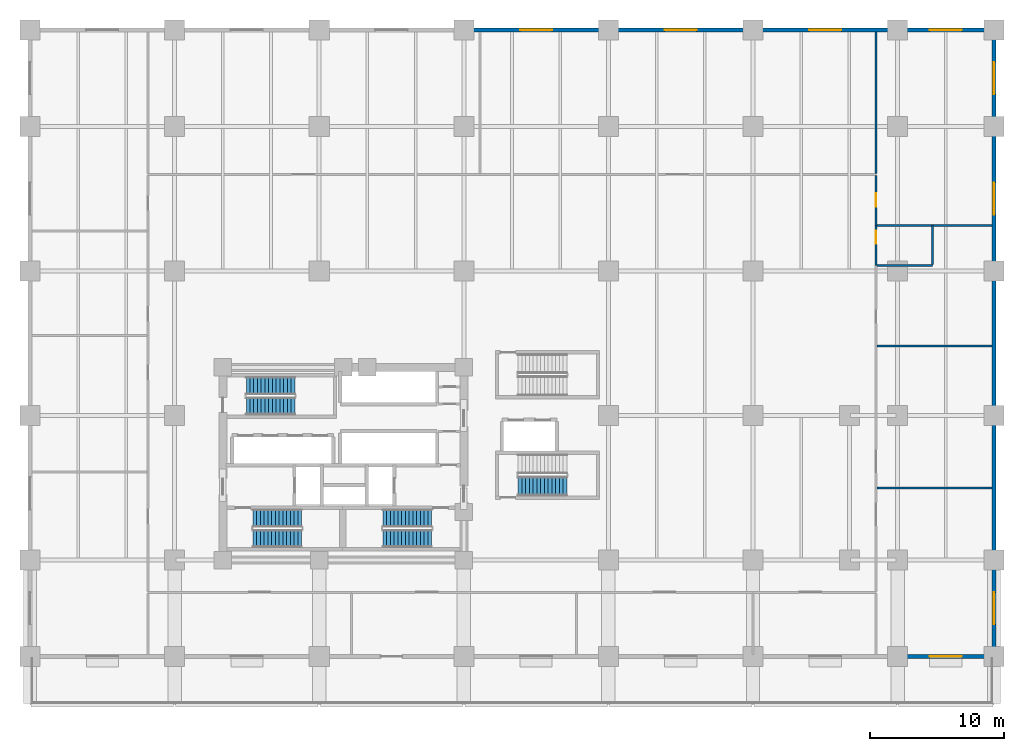
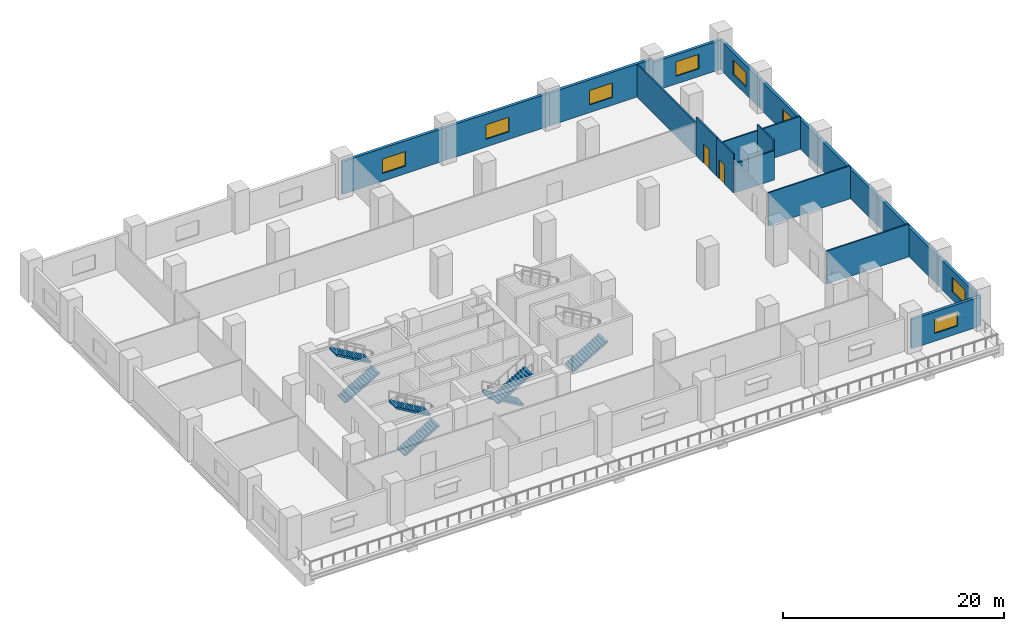
# One storey, part 6 of 11: 18 walls, 8 windows, 7 stair flights, 2 doors, 10 openings, 4 elements without a shape of their own.
"""IFC4 building model written with IfcOpenShell, lengths in metres."""

from ifc_helpers import new_model, si_unit, direction, frame, frame_2d, origin, place, context, subcontext, project, spatial, polyline, rectangle, outline, extrude, material, layer, layer_set, type_object, element, fill, aggregate, save


model = new_model("IFC4")

# Units and contexts
model_context = context("Model", 3, precision=1e-05, world=origin(), true_north=direction((0.0, 1.0)))
body_context = subcontext(model_context, "Body", "Model", "MODEL_VIEW")
ifc_project = project(units=[si_unit("LENGTHUNIT", "METRE"), si_unit("AREAUNIT", "SQUARE_METRE"), si_unit("VOLUMEUNIT", "CUBIC_METRE"), si_unit("PLANEANGLEUNIT", "RADIAN"), si_unit("MASSUNIT", "GRAM", prefix="KILO")], contexts=[model_context])

# Site, building, storey
site_placement = place(None, origin())
site = spatial("IfcSite", under=ifc_project, at=site_placement, CompositionType="ELEMENT")
building_placement = place(site_placement, origin())
building = spatial("IfcBuilding", under=site, at=building_placement, Name="Solnavia Interchange Tower", CompositionType="ELEMENT")
storey_placement = place(building_placement, frame((0.0, 0.0, 14.800048828125)))
storey = spatial("IfcBuildingStorey", under=building, at=storey_placement, Name="L03", CompositionType="ELEMENT", Elevation=14.800048828125)

# Wall, opening, window
ifc_material_1 = material(Name="Concrete C40/50", Category="concrete")
ifc_layer_1 = layer(ifc_material_1, 0.300048828125)
ifc_layer_set_1 = layer_set([ifc_layer_1], Name="Concrete C40/50")
wall_type_1 = type_object("IfcWallType", Name="Wall-ExtSpandrel-300", PredefinedType="STANDARD", material=ifc_layer_set_1)
wall_1_placement = place(storey_placement, frame((72.0, 3.60009765625, 0.0), z_axis=(0.0, 0.0, 1.0), x_axis=(-1.0, 0.0, 0.0)))
wall_1 = element("IfcWall", 1, at=wall_1_placement, inside=storey, type_object=wall_type_1, Name="EXW-L03-S07 South podium wall", PredefinedType="STANDARD", context=body_context, shape_type="SweptSolid", body=[
    extrude(rectangle(XDim=7.199951171875, YDim=0.300048828125, at=frame_2d((3.60009765625, 0.0))), origin(), (0.0, 0.0, 1.0), 3.22998046875),
])
opening_1_placement = place(wall_1_placement, frame((2.39990234375, 0.0, 0.85009765625)))
opening_1 = element("IfcOpeningElement", 2, at=opening_1_placement, cuts=wall_1, Name="Opening WIN-06", PredefinedType="OPENING", context=body_context, shape_type="SweptSolid", body=[
    extrude(rectangle(XDim=2.39990234375, YDim=1.60009765625, at=frame_2d((1.199951171875, 0.800048828125))), frame((0.0, 0.16015625, 0.0), z_axis=(0.0, -1.0, 0.0), x_axis=(1.0, 0.0, 0.0)), (0.0, 0.0, 1.0), 0.320068359375),
])
ifc_material_2 = material(Name="Thermal-Break Aluminium & Low-E Glass", Category="aluminium")
window_type = type_object("IfcWindowType", Name="Window-Podium-2400x1600", PartitioningType="SINGLE_PANEL", PredefinedType="WINDOW", material=ifc_material_2)
window_1_placement = place(opening_1_placement, origin())
window_1 = element("IfcWindow", 3, at=window_1_placement, inside=storey, type_object=window_type, Name="WIN-L03-S07 South podium window", OverallHeight=1.60009765625, OverallWidth=2.39990234375, PartitioningType="SINGLE_PANEL", PredefinedType="WINDOW", context=body_context, shape_type="SweptSolid", body=[
    extrude(rectangle(XDim=2.39990234375, YDim=1.60009765625, at=frame_2d((1.199951171875, 0.800048828125))), frame((0.0, 0.030029296875, 0.0), z_axis=(0.0, -1.0, 0.0), x_axis=(1.0, 0.0, 0.0)), (0.0, 0.0, 1.0), 0.06005859375),
])
fill(opening_1, window_1)

wall_2_placement = place(storey_placement, frame((72.0, 10.800048828125, 0.0), z_axis=(0.0, 0.0, 1.0), x_axis=(0.0, -1.0, 0.0)))
wall_2 = element("IfcWall", 4, at=wall_2_placement, inside=storey, type_object=wall_type_1, Name="EXW-L03-E01 East podium wall", PredefinedType="STANDARD", context=body_context, shape_type="SweptSolid", body=[
    extrude(rectangle(XDim=7.199951171875, YDim=0.300048828125, at=frame_2d((3.60009765625, 0.0))), origin(), (0.0, 0.0, 1.0), 3.22998046875),
])
opening_2_placement = place(wall_2_placement, frame((2.39990234375, 0.0, 0.85009765625)))
opening_2 = element("IfcOpeningElement", 5, at=opening_2_placement, cuts=wall_2, Name="Opening WIN-06", PredefinedType="OPENING", context=body_context, shape_type="SweptSolid", body=[
    extrude(rectangle(XDim=2.39990234375, YDim=1.60009765625, at=frame_2d((1.199951171875, 0.800048828125))), frame((0.0, 0.16015625, 0.0), z_axis=(0.0, -1.0, 0.0), x_axis=(1.0, 0.0, 0.0)), (0.0, 0.0, 1.0), 0.320068359375),
])
window_2_placement = place(opening_2_placement, origin())
window_2 = element("IfcWindow", 6, at=window_2_placement, inside=storey, type_object=window_type, Name="WIN-L03-E01 East podium window", OverallHeight=1.60009765625, OverallWidth=2.39990234375, PartitioningType="SINGLE_PANEL", PredefinedType="WINDOW", context=body_context, shape_type="SweptSolid", body=[
    extrude(rectangle(XDim=2.39990234375, YDim=1.60009765625, at=frame_2d((1.199951171875, 0.800048828125))), frame((0.0, 0.030029296875, 0.0), z_axis=(0.0, -1.0, 0.0), x_axis=(1.0, 0.0, 0.0)), (0.0, 0.0, 1.0), 0.06005859375),
])
fill(opening_2, window_2)

# Walls
wall_3_placement = place(storey_placement, frame((72.0, 21.60009765625, 0.0), z_axis=(0.0, 0.0, 1.0), x_axis=(0.0, -1.0, 0.0)))
element("IfcWall", 7, at=wall_3_placement, inside=storey, type_object=wall_type_1, Name="EXW-L03-E02 East podium wall", PredefinedType="STANDARD", context=body_context, shape_type="SweptSolid", body=[
    extrude(rectangle(XDim=10.800048828125, YDim=0.300048828125, at=frame_2d((5.39990234375, 0.0))), origin(), (0.0, 0.0, 1.0), 3.22998046875),
])
wall_4_placement = place(storey_placement, frame((72.0, 32.39990234375, 0.0), z_axis=(0.0, 0.0, 1.0), x_axis=(0.0, -1.0, 0.0)))
element("IfcWall", 8, at=wall_4_placement, inside=storey, type_object=wall_type_1, Name="EXW-L03-E03 East podium wall", PredefinedType="STANDARD", context=body_context, shape_type="SweptSolid", body=[
    extrude(rectangle(XDim=10.7998046875, YDim=0.300048828125, at=frame_2d((5.39990234375, 0.0))), origin(), (0.0, 0.0, 1.0), 3.22998046875),
])

# Wall, opening, window
wall_5_placement = place(storey_placement, frame((72.0, 43.199951171875, 0.0), z_axis=(0.0, 0.0, 1.0), x_axis=(0.0, -1.0, 0.0)))
wall_5 = element("IfcWall", 9, at=wall_5_placement, inside=storey, type_object=wall_type_1, Name="EXW-L03-E04 East podium wall", PredefinedType="STANDARD", context=body_context, shape_type="SweptSolid", body=[
    extrude(rectangle(XDim=10.800048828125, YDim=0.300048828125, at=frame_2d((5.39990234375, 0.0))), origin(), (0.0, 0.0, 1.0), 3.22998046875),
])
opening_3_placement = place(wall_5_placement, frame((4.199951171875, 0.0, 0.85009765625)))
opening_3 = element("IfcOpeningElement", 10, at=opening_3_placement, cuts=wall_5, Name="Opening WIN-06", PredefinedType="OPENING", context=body_context, shape_type="SweptSolid", body=[
    extrude(rectangle(XDim=2.39990234375, YDim=1.60009765625, at=frame_2d((1.199951171875, 0.800048828125))), frame((0.0, 0.16015625, 0.0), z_axis=(0.0, -1.0, 0.0), x_axis=(1.0, 0.0, 0.0)), (0.0, 0.0, 1.0), 0.320068359375),
])
window_3_placement = place(opening_3_placement, origin())
window_3 = element("IfcWindow", 11, at=window_3_placement, inside=storey, type_object=window_type, Name="WIN-L03-E04 East podium window", OverallHeight=1.60009765625, OverallWidth=2.39990234375, PartitioningType="SINGLE_PANEL", PredefinedType="WINDOW", context=body_context, shape_type="SweptSolid", body=[
    extrude(rectangle(XDim=2.39990234375, YDim=1.60009765625, at=frame_2d((1.199951171875, 0.800048828125))), frame((0.0, 0.030029296875, 0.0), z_axis=(0.0, -1.0, 0.0), x_axis=(1.0, 0.0, 0.0)), (0.0, 0.0, 1.0), 0.06005859375),
])
fill(opening_3, window_3)

wall_6_placement = place(storey_placement, frame((72.0, 50.39990234375, 0.0), z_axis=(0.0, 0.0, 1.0), x_axis=(0.0, -1.0, 0.0)))
wall_6 = element("IfcWall", 12, at=wall_6_placement, inside=storey, type_object=wall_type_1, Name="EXW-L03-E05 East podium wall", PredefinedType="STANDARD", context=body_context, shape_type="SweptSolid", body=[
    extrude(rectangle(XDim=7.199951171875, YDim=0.300048828125, at=frame_2d((3.60009765625, 0.0))), origin(), (0.0, 0.0, 1.0), 3.22998046875),
])
opening_4_placement = place(wall_6_placement, frame((2.39990234375, 0.0, 0.85009765625)))
opening_4 = element("IfcOpeningElement", 13, at=opening_4_placement, cuts=wall_6, Name="Opening WIN-06", PredefinedType="OPENING", context=body_context, shape_type="SweptSolid", body=[
    extrude(rectangle(XDim=2.39990234375, YDim=1.60009765625, at=frame_2d((1.199951171875, 0.800048828125))), frame((0.0, 0.16015625, 0.0), z_axis=(0.0, -1.0, 0.0), x_axis=(1.0, 0.0, 0.0)), (0.0, 0.0, 1.0), 0.320068359375),
])
window_4_placement = place(opening_4_placement, origin())
window_4 = element("IfcWindow", 14, at=window_4_placement, inside=storey, type_object=window_type, Name="WIN-L03-E05 East podium window", OverallHeight=1.60009765625, OverallWidth=2.39990234375, PartitioningType="SINGLE_PANEL", PredefinedType="WINDOW", context=body_context, shape_type="SweptSolid", body=[
    extrude(rectangle(XDim=2.39990234375, YDim=1.60009765625, at=frame_2d((1.199951171875, 0.800048828125))), frame((0.0, 0.030029296875, 0.0), z_axis=(0.0, -1.0, 0.0), x_axis=(1.0, 0.0, 0.0)), (0.0, 0.0, 1.0), 0.06005859375),
])
fill(opening_4, window_4)

wall_7_placement = place(storey_placement, frame((32.39990234375, 50.39990234375, 0.0), z_axis=(0.0, 0.0, 1.0), x_axis=(1.0, 0.0, 0.0)))
wall_7 = element("IfcWall", 15, at=wall_7_placement, inside=storey, type_object=wall_type_1, Name="EXW-L03-N04 North podium wall", PredefinedType="STANDARD", context=body_context, shape_type="SweptSolid", body=[
    extrude(rectangle(XDim=10.800048828125, YDim=0.300048828125, at=frame_2d((5.39990234375, 0.0))), origin(), (0.0, 0.0, 1.0), 3.6298828125),
])
opening_5_placement = place(wall_7_placement, frame((4.199951171875, 0.0, 0.85009765625)))
opening_5 = element("IfcOpeningElement", 16, at=opening_5_placement, cuts=wall_7, Name="Opening WIN-06", PredefinedType="OPENING", context=body_context, shape_type="SweptSolid", body=[
    extrude(rectangle(XDim=2.39990234375, YDim=1.60009765625, at=frame_2d((1.199951171875, 0.800048828125))), frame((0.0, 0.16015625, 0.0), z_axis=(0.0, -1.0, 0.0), x_axis=(1.0, 0.0, 0.0)), (0.0, 0.0, 1.0), 0.320068359375),
])
window_5_placement = place(opening_5_placement, origin())
window_5 = element("IfcWindow", 17, at=window_5_placement, inside=storey, type_object=window_type, Name="WIN-L03-N04 North podium window", OverallHeight=1.60009765625, OverallWidth=2.39990234375, PartitioningType="SINGLE_PANEL", PredefinedType="WINDOW", context=body_context, shape_type="SweptSolid", body=[
    extrude(rectangle(XDim=2.39990234375, YDim=1.60009765625, at=frame_2d((1.199951171875, 0.800048828125))), frame((0.0, 0.030029296875, 0.0), z_axis=(0.0, -1.0, 0.0), x_axis=(1.0, 0.0, 0.0)), (0.0, 0.0, 1.0), 0.06005859375),
])
fill(opening_5, window_5)

wall_8_placement = place(storey_placement, frame((43.199951171875, 50.39990234375, 0.0), z_axis=(0.0, 0.0, 1.0), x_axis=(1.0, 0.0, 0.0)))
wall_8 = element("IfcWall", 18, at=wall_8_placement, inside=storey, type_object=wall_type_1, Name="EXW-L03-N05 North podium wall", PredefinedType="STANDARD", context=body_context, shape_type="SweptSolid", body=[
    extrude(rectangle(XDim=10.800048828125, YDim=0.300048828125, at=frame_2d((5.39990234375, 0.0))), origin(), (0.0, 0.0, 1.0), 3.6298828125),
])
opening_6_placement = place(wall_8_placement, frame((4.199951171875, 0.0, 0.85009765625)))
opening_6 = element("IfcOpeningElement", 19, at=opening_6_placement, cuts=wall_8, Name="Opening WIN-06", PredefinedType="OPENING", context=body_context, shape_type="SweptSolid", body=[
    extrude(rectangle(XDim=2.39990234375, YDim=1.60009765625, at=frame_2d((1.199951171875, 0.800048828125))), frame((0.0, 0.16015625, 0.0), z_axis=(0.0, -1.0, 0.0), x_axis=(1.0, 0.0, 0.0)), (0.0, 0.0, 1.0), 0.320068359375),
])
window_6_placement = place(opening_6_placement, origin())
window_6 = element("IfcWindow", 20, at=window_6_placement, inside=storey, type_object=window_type, Name="WIN-L03-N05 North podium window", OverallHeight=1.60009765625, OverallWidth=2.39990234375, PartitioningType="SINGLE_PANEL", PredefinedType="WINDOW", context=body_context, shape_type="SweptSolid", body=[
    extrude(rectangle(XDim=2.39990234375, YDim=1.60009765625, at=frame_2d((1.199951171875, 0.800048828125))), frame((0.0, 0.030029296875, 0.0), z_axis=(0.0, -1.0, 0.0), x_axis=(1.0, 0.0, 0.0)), (0.0, 0.0, 1.0), 0.06005859375),
])
fill(opening_6, window_6)

wall_9_placement = place(storey_placement, frame((54.0, 50.39990234375, 0.0), z_axis=(0.0, 0.0, 1.0), x_axis=(1.0, 0.0, 0.0)))
wall_9 = element("IfcWall", 21, at=wall_9_placement, inside=storey, type_object=wall_type_1, Name="EXW-L03-N06 North podium wall", PredefinedType="STANDARD", context=body_context, shape_type="SweptSolid", body=[
    extrude(rectangle(XDim=10.800048828125, YDim=0.300048828125, at=frame_2d((5.39990234375, 0.0))), origin(), (0.0, 0.0, 1.0), 3.6298828125),
])
opening_7_placement = place(wall_9_placement, frame((4.199951171875, 0.0, 0.85009765625)))
opening_7 = element("IfcOpeningElement", 22, at=opening_7_placement, cuts=wall_9, Name="Opening WIN-06", PredefinedType="OPENING", context=body_context, shape_type="SweptSolid", body=[
    extrude(rectangle(XDim=2.39990234375, YDim=1.60009765625, at=frame_2d((1.199951171875, 0.800048828125))), frame((0.0, 0.16015625, 0.0), z_axis=(0.0, -1.0, 0.0), x_axis=(1.0, 0.0, 0.0)), (0.0, 0.0, 1.0), 0.320068359375),
])
window_7_placement = place(opening_7_placement, origin())
window_7 = element("IfcWindow", 23, at=window_7_placement, inside=storey, type_object=window_type, Name="WIN-L03-N06 North podium window", OverallHeight=1.60009765625, OverallWidth=2.39990234375, PartitioningType="SINGLE_PANEL", PredefinedType="WINDOW", context=body_context, shape_type="SweptSolid", body=[
    extrude(rectangle(XDim=2.39990234375, YDim=1.60009765625, at=frame_2d((1.199951171875, 0.800048828125))), frame((0.0, 0.030029296875, 0.0), z_axis=(0.0, -1.0, 0.0), x_axis=(1.0, 0.0, 0.0)), (0.0, 0.0, 1.0), 0.06005859375),
])
fill(opening_7, window_7)

wall_10_placement = place(storey_placement, frame((64.800048828125, 50.39990234375, 0.0), z_axis=(0.0, 0.0, 1.0), x_axis=(1.0, 0.0, 0.0)))
wall_10 = element("IfcWall", 24, at=wall_10_placement, inside=storey, type_object=wall_type_1, Name="EXW-L03-N07 North podium wall", PredefinedType="STANDARD", context=body_context, shape_type="SweptSolid", body=[
    extrude(rectangle(XDim=7.199951171875, YDim=0.300048828125, at=frame_2d((3.60009765625, 0.0))), origin(), (0.0, 0.0, 1.0), 3.22998046875),
])
opening_8_placement = place(wall_10_placement, frame((2.39990234375, 0.0, 0.85009765625)))
opening_8 = element("IfcOpeningElement", 25, at=opening_8_placement, cuts=wall_10, Name="Opening WIN-06", PredefinedType="OPENING", context=body_context, shape_type="SweptSolid", body=[
    extrude(rectangle(XDim=2.39990234375, YDim=1.60009765625, at=frame_2d((1.199951171875, 0.800048828125))), frame((0.0, 0.16015625, 0.0), z_axis=(0.0, -1.0, 0.0), x_axis=(1.0, 0.0, 0.0)), (0.0, 0.0, 1.0), 0.320068359375),
])
window_8_placement = place(opening_8_placement, origin())
window_8 = element("IfcWindow", 26, at=window_8_placement, inside=storey, type_object=window_type, Name="WIN-L03-N07 North podium window", OverallHeight=1.60009765625, OverallWidth=2.39990234375, PartitioningType="SINGLE_PANEL", PredefinedType="WINDOW", context=body_context, shape_type="SweptSolid", body=[
    extrude(rectangle(XDim=2.39990234375, YDim=1.60009765625, at=frame_2d((1.199951171875, 0.800048828125))), frame((0.0, 0.030029296875, 0.0), z_axis=(0.0, -1.0, 0.0), x_axis=(1.0, 0.0, 0.0)), (0.0, 0.0, 1.0), 0.06005859375),
])
fill(opening_8, window_8)

# Wall
ifc_material_3 = material(Name="Gypsum Plasterboard & Steel Stud", Category="steel")
ifc_layer_2 = layer(ifc_material_3, 0.14990234375)
ifc_layer_set_2 = layer_set([ifc_layer_2], Name="Gypsum Plasterboard & Steel Stud")
wall_type_2 = type_object("IfcWallType", Name="Wall-Partition-150", PredefinedType="PARTITIONING", material=ifc_layer_set_2)
wall_11_placement = place(storey_placement, frame((63.279052734375, 16.199951171875, 0.0), z_axis=(0.0, 0.0, 1.0), x_axis=(1.0, 0.0, 0.0)))
element("IfcWall", 27, at=wall_11_placement, inside=storey, type_object=wall_type_2, Name="PTW-L03-22 Interior partition wall", PredefinedType="PARTITIONING", context=body_context, shape_type="SweptSolid", body=[
    extrude(rectangle(XDim=8.56689453125, YDim=0.14990234375, at=frame_2d((4.283447265625, 0.0))), origin(), (0.0, 0.0, 1.0), 3.6298828125),
])

# Wall, opening, door
wall_12_placement = place(storey_placement, frame((63.199951171875, 35.800048828125, 0.0), z_axis=(0.0, 0.0, 1.0), x_axis=(0.0, 1.0, 0.0)))
wall_12 = element("IfcWall", 28, at=wall_12_placement, inside=storey, type_object=wall_type_2, Name="PTW-L03-30 Interior partition wall", PredefinedType="PARTITIONING", context=body_context, shape_type="SweptSolid", body=[
    extrude(rectangle(XDim=3.720947265625, YDim=0.14990234375, at=frame_2d((1.8603515625, 0.0))), origin(), (0.0, 0.0, 1.0), 4.284912109375),
])
opening_9_placement = place(wall_12_placement, frame((1.39990234375, 0.0, 0.0)))
opening_9 = element("IfcOpeningElement", 29, at=opening_9_placement, cuts=wall_12, Name="Opening DR-07", PredefinedType="OPENING", context=body_context, shape_type="SweptSolid", body=[
    extrude(rectangle(XDim=1.0, YDim=2.10009765625, at=frame_2d((0.5, 1.050048828125))), frame((0.0, 0.0849609375, 0.0), z_axis=(0.0, -1.0, 0.0), x_axis=(1.0, 0.0, 0.0)), (0.0, 0.0, 1.0), 0.169921875),
])
ifc_material_4 = material(Name="Timber & Acoustic Glazed Office Door", Category="wood")
door_type = type_object("IfcDoorType", Name="Door-Office-1000x2100", OperationType="SINGLE_SWING_RIGHT", PredefinedType="DOOR", material=ifc_material_4)
door_1_placement = place(opening_9_placement, origin())
door_1 = element("IfcDoor", 30, at=door_1_placement, inside=storey, type_object=door_type, Name="DR-L03-15 Interior room door", OperationType="SINGLE_SWING_LEFT", OverallHeight=2.10009765625, OverallWidth=1.0, PredefinedType="DOOR", context=body_context, shape_type="SweptSolid", body=[
    extrude(rectangle(XDim=1.0, YDim=2.10009765625, at=frame_2d((0.5, 1.050048828125))), frame((0.0, 0.02490234375, 0.0), z_axis=(0.0, -1.0, 0.0), x_axis=(1.0, 0.0, 0.0)), (0.0, 0.0, 1.0), 0.050048828125),
])
fill(opening_9, door_1)

# Walls
wall_13_placement = place(storey_placement, frame((63.199951171875, 39.678955078125, 0.0), z_axis=(0.0, 0.0, 1.0), x_axis=(0.0, 1.0, 0.0)))
element("IfcWall", 31, at=wall_13_placement, inside=storey, type_object=wall_type_2, Name="PTW-L03-31 Interior partition wall", PredefinedType="PARTITIONING", context=body_context, shape_type="SweptSolid", body=[
    extrude(rectangle(XDim=10.567138671875, YDim=0.14990234375, at=frame_2d((5.28369140625, 0.0))), origin(), (0.0, 0.0, 1.0), 3.6298828125),
])
ifc_material_5 = material(Name="Moisture-Resistant Gypsum & Steel Stud", Category="steel")
ifc_layer_3 = layer(ifc_material_5, 0.14990234375)
ifc_layer_set_3 = layer_set([ifc_layer_3], Name="Moisture-Resistant Gypsum & Steel Stud")
wall_type_3 = type_object("IfcWallType", Name="Wall-WetRoom-150", PredefinedType="PARTITIONING", material=ifc_layer_set_3)
wall_14_placement = place(storey_placement, frame((63.279052734375, 26.800048828125, 0.0), z_axis=(0.0, 0.0, 1.0), x_axis=(1.0, 0.0, 0.0)))
element("IfcWall", 32, at=wall_14_placement, inside=storey, type_object=wall_type_3, Name="PTW-L03-24 Interior partition wall", PredefinedType="PARTITIONING", context=body_context, shape_type="SweptSolid", body=[
    extrude(rectangle(XDim=8.56689453125, YDim=0.14990234375, at=frame_2d((4.283447265625, 0.0))), origin(), (0.0, 0.0, 1.0), 3.6298828125),
])
wall_15_placement = place(storey_placement, frame((63.279052734375, 32.800048828125, 0.0), z_axis=(0.0, 0.0, 1.0), x_axis=(1.0, 0.0, 0.0)))
element("IfcWall", 33, at=wall_15_placement, inside=storey, type_object=wall_type_3, Name="PTW-L03-26 Interior partition wall", PredefinedType="PARTITIONING", context=body_context, shape_type="SweptSolid", body=[
    extrude(rectangle(XDim=4.120849609375, YDim=0.14990234375, at=frame_2d((2.060546875, 0.0))), origin(), (0.0, 0.0, 1.0), 3.22998046875),
])
wall_16_placement = place(storey_placement, frame((67.39990234375, 32.87890625, 0.0), z_axis=(0.0, 0.0, 1.0), x_axis=(0.0, 1.0, 0.0)))
element("IfcWall", 34, at=wall_16_placement, inside=storey, type_object=wall_type_3, Name="PTW-L03-27 Interior partition wall", PredefinedType="PARTITIONING", context=body_context, shape_type="SweptSolid", body=[
    extrude(rectangle(XDim=2.921142578125, YDim=0.14990234375, at=frame_2d((1.46044921875, 0.0))), origin(), (0.0, 0.0, 1.0), 4.284912109375),
])

# Wall, opening, door
wall_17_placement = place(storey_placement, frame((63.199951171875, 32.800048828125, 0.0), z_axis=(0.0, 0.0, 1.0), x_axis=(0.0, 1.0, 0.0)))
wall_17 = element("IfcWall", 35, at=wall_17_placement, inside=storey, type_object=wall_type_3, Name="PTW-L03-28 Interior partition wall", PredefinedType="PARTITIONING", context=body_context, shape_type="SweptSolid", body=[
    extrude(rectangle(XDim=3.0, YDim=0.14990234375, at=frame_2d((1.5, 0.0))), origin(), (0.0, 0.0, 1.0), 4.284912109375),
])
opening_10_placement = place(wall_17_placement, frame((1.6201171875, 0.0, 0.0)))
opening_10 = element("IfcOpeningElement", 36, at=opening_10_placement, cuts=wall_17, Name="Opening DR-07", PredefinedType="OPENING", context=body_context, shape_type="SweptSolid", body=[
    extrude(rectangle(XDim=1.0, YDim=2.10009765625, at=frame_2d((0.5, 1.050048828125))), frame((0.0, 0.0849609375, 0.0), z_axis=(0.0, -1.0, 0.0), x_axis=(1.0, 0.0, 0.0)), (0.0, 0.0, 1.0), 0.169921875),
])
door_2_placement = place(opening_10_placement, origin())
door_2 = element("IfcDoor", 37, at=door_2_placement, inside=storey, type_object=door_type, Name="DR-L03-14 Interior room door", OperationType="SINGLE_SWING_RIGHT", OverallHeight=2.10009765625, OverallWidth=1.0, PredefinedType="DOOR", context=body_context, shape_type="SweptSolid", body=[
    extrude(rectangle(XDim=1.0, YDim=2.10009765625, at=frame_2d((0.5, 1.050048828125))), frame((0.0, 0.02490234375, 0.0), z_axis=(0.0, -1.0, 0.0), x_axis=(1.0, 0.0, 0.0)), (0.0, 0.0, 1.0), 0.050048828125),
])
fill(opening_10, door_2)

# Wall
wall_18_placement = place(storey_placement, frame((63.279052734375, 35.800048828125, 0.0), z_axis=(0.0, 0.0, 1.0), x_axis=(1.0, 0.0, 0.0)))
element("IfcWall", 38, at=wall_18_placement, inside=storey, type_object=wall_type_3, Name="PTW-L03-29 Interior partition wall", PredefinedType="PARTITIONING", context=body_context, shape_type="SweptSolid", body=[
    extrude(rectangle(XDim=8.56689453125, YDim=0.14990234375, at=frame_2d((4.283447265625, 0.0))), origin(), (0.0, 0.0, 1.0), 3.6298828125),
])

# Stair, stair flights
stair_type = type_object("IfcStairType", Name="Stair-Dogleg-RC", PredefinedType="HALF_TURN_STAIR", material=ifc_material_1)
stair_1_placement = place(storey_placement, origin())
stair_1 = element("IfcStair", 39, at=stair_1_placement, inside=storey, type_object=stair_type, Name="L03 Core exit stair 1", PredefinedType="HALF_TURN_STAIR")
stair_flight_type = type_object("IfcStairFlightType", Name="StairFlight-RC-150", PredefinedType="STRAIGHT", material=ifc_material_1)
stair_flight_1_placement = place(storey_placement, frame((16.64990234375, 12.409912109375, 0.0), z_axis=(0.0, 0.0, 1.0), x_axis=(1.0, 0.0, 0.0)))
stair_flight_1 = element("IfcStairFlight", 40, at=stair_flight_1_placement, type_object=stair_flight_type, Name="ST-1 flight 1", NumberOfRisers=14, NumberOfTreads=13, PredefinedType="STRAIGHT", RiserHeight=0.164285714, TreadLength=0.28, context=body_context, shape_type="SweptSolid", body=[
    extrude(outline(polyline([(0.0, 0.0), (0.0, 0.164306640625), (0.280029296875, 0.164306640625), (0.280029296875, 0.32861328125), (0.56005859375, 0.32861328125), (0.56005859375, 0.492919921875), (0.840087890625, 0.492919921875), (0.840087890625, 0.6572265625), (1.1201171875, 0.6572265625), (1.1201171875, 0.821533203125), (1.39990234375, 0.821533203125), (1.39990234375, 0.985595703125), (1.679931640625, 0.985595703125), (1.679931640625, 1.14990234375), (1.9599609375, 1.14990234375), (1.9599609375, 1.314208984375), (2.239990234375, 1.314208984375), (2.239990234375, 1.478515625), (2.52001953125, 1.478515625), (2.52001953125, 1.642822265625), (2.800048828125, 1.642822265625), (2.800048828125, 1.80712890625), (3.080078125, 1.80712890625), (3.080078125, 1.971435546875), (3.360107421875, 1.971435546875), (3.360107421875, 2.1357421875), (3.639892578125, 2.1357421875), (3.639892578125, 2.300048828125), (3.639892578125, 1.9619140625), (0.296142578125, 0.0), (0.0, 0.0)])), frame((0.0, 0.66015625, 0.0), z_axis=(0.0, -1.0, 0.0), x_axis=(1.0, 0.0, 0.0)), (0.0, 0.0, 1.0), 1.320068359375),
])
stair_flight_2_placement = place(storey_placement, frame((20.2900390625, 13.929931640625, 2.300048828125), z_axis=(0.0, 0.0, 1.0), x_axis=(-1.0, 0.0, 0.0)))
stair_flight_2 = element("IfcStairFlight", 41, at=stair_flight_2_placement, type_object=stair_flight_type, Name="ST-1 flight 2", NumberOfRisers=14, NumberOfTreads=13, PredefinedType="STRAIGHT", RiserHeight=0.164285714, TreadLength=0.28, context=body_context, shape_type="SweptSolid", body=[
    extrude(outline(polyline([(0.0, 0.0), (0.0, 0.164306640625), (0.280029296875, 0.164306640625), (0.280029296875, 0.32861328125), (0.56005859375, 0.32861328125), (0.56005859375, 0.492919921875), (0.840087890625, 0.492919921875), (0.840087890625, 0.6572265625), (1.1201171875, 0.6572265625), (1.1201171875, 0.821533203125), (1.39990234375, 0.821533203125), (1.39990234375, 0.985595703125), (1.679931640625, 0.985595703125), (1.679931640625, 1.14990234375), (1.9599609375, 1.14990234375), (1.9599609375, 1.314208984375), (2.239990234375, 1.314208984375), (2.239990234375, 1.478515625), (2.52001953125, 1.478515625), (2.52001953125, 1.642822265625), (2.800048828125, 1.642822265625), (2.800048828125, 1.80712890625), (3.080078125, 1.80712890625), (3.080078125, 1.971435546875), (3.360107421875, 1.971435546875), (3.360107421875, 2.1357421875), (3.639892578125, 2.1357421875), (3.639892578125, 2.300048828125), (3.639892578125, 1.9619140625), (0.296142578125, 0.0), (0.0, 0.0)])), frame((0.0, 0.66015625, 0.0), z_axis=(0.0, -1.0, 0.0), x_axis=(1.0, 0.0, 0.0)), (0.0, 0.0, 1.0), 1.320068359375),
])
aggregate(stair_1, [stair_flight_1, stair_flight_2])

stair_2_placement = place(storey_placement, origin())
stair_2 = element("IfcStair", 42, at=stair_2_placement, inside=storey, type_object=stair_type, Name="L03 Core exit stair 2", PredefinedType="HALF_TURN_STAIR")
stair_flight_3_placement = place(storey_placement, frame((30.0, 13.929931640625, 0.0), z_axis=(0.0, 0.0, 1.0), x_axis=(-1.0, 0.0, 0.0)))
stair_flight_3 = element("IfcStairFlight", 43, at=stair_flight_3_placement, type_object=stair_flight_type, Name="ST-2 flight 1", NumberOfRisers=14, NumberOfTreads=13, PredefinedType="STRAIGHT", RiserHeight=0.164285714, TreadLength=0.28, context=body_context, shape_type="SweptSolid", body=[
    extrude(outline(polyline([(0.0, 0.0), (0.0, 0.164306640625), (0.280029296875, 0.164306640625), (0.280029296875, 0.32861328125), (0.56005859375, 0.32861328125), (0.56005859375, 0.492919921875), (0.840087890625, 0.492919921875), (0.840087890625, 0.6572265625), (1.1201171875, 0.6572265625), (1.1201171875, 0.821533203125), (1.39990234375, 0.821533203125), (1.39990234375, 0.985595703125), (1.679931640625, 0.985595703125), (1.679931640625, 1.14990234375), (1.9599609375, 1.14990234375), (1.9599609375, 1.314208984375), (2.239990234375, 1.314208984375), (2.239990234375, 1.478515625), (2.52001953125, 1.478515625), (2.52001953125, 1.642822265625), (2.800048828125, 1.642822265625), (2.800048828125, 1.80712890625), (3.080078125, 1.80712890625), (3.080078125, 1.971435546875), (3.360107421875, 1.971435546875), (3.360107421875, 2.1357421875), (3.639892578125, 2.1357421875), (3.639892578125, 2.300048828125), (3.639892578125, 1.9619140625), (0.296142578125, 0.0), (0.0, 0.0)])), frame((0.0, 0.66015625, 0.0), z_axis=(0.0, -1.0, 0.0), x_axis=(1.0, 0.0, 0.0)), (0.0, 0.0, 1.0), 1.320068359375),
])
stair_flight_4_placement = place(storey_placement, frame((26.360107421875, 12.409912109375, 2.300048828125), z_axis=(0.0, 0.0, 1.0), x_axis=(1.0, 0.0, 0.0)))
stair_flight_4 = element("IfcStairFlight", 44, at=stair_flight_4_placement, type_object=stair_flight_type, Name="ST-2 flight 2", NumberOfRisers=14, NumberOfTreads=13, PredefinedType="STRAIGHT", RiserHeight=0.164285714, TreadLength=0.28, context=body_context, shape_type="SweptSolid", body=[
    extrude(outline(polyline([(0.0, 0.0), (0.0, 0.164306640625), (0.280029296875, 0.164306640625), (0.280029296875, 0.32861328125), (0.56005859375, 0.32861328125), (0.56005859375, 0.492919921875), (0.840087890625, 0.492919921875), (0.840087890625, 0.6572265625), (1.1201171875, 0.6572265625), (1.1201171875, 0.821533203125), (1.39990234375, 0.821533203125), (1.39990234375, 0.985595703125), (1.679931640625, 0.985595703125), (1.679931640625, 1.14990234375), (1.9599609375, 1.14990234375), (1.9599609375, 1.314208984375), (2.239990234375, 1.314208984375), (2.239990234375, 1.478515625), (2.52001953125, 1.478515625), (2.52001953125, 1.642822265625), (2.800048828125, 1.642822265625), (2.800048828125, 1.80712890625), (3.080078125, 1.80712890625), (3.080078125, 1.971435546875), (3.360107421875, 1.971435546875), (3.360107421875, 2.1357421875), (3.639892578125, 2.1357421875), (3.639892578125, 2.300048828125), (3.639892578125, 1.9619140625), (0.296142578125, 0.0), (0.0, 0.0)])), frame((0.0, 0.66015625, 0.0), z_axis=(0.0, -1.0, 0.0), x_axis=(1.0, 0.0, 0.0)), (0.0, 0.0, 1.0), 1.320068359375),
])
aggregate(stair_2, [stair_flight_3, stair_flight_4])

stair_3_placement = place(storey_placement, origin())
stair_3 = element("IfcStair", 45, at=stair_3_placement, inside=storey, type_object=stair_type, Name="L03 Core exit stair 3", PredefinedType="HALF_TURN_STAIR")
stair_flight_5_placement = place(storey_placement, frame((16.14990234375, 22.31005859375, 0.0), z_axis=(0.0, 0.0, 1.0), x_axis=(1.0, 0.0, 0.0)))
stair_flight_5 = element("IfcStairFlight", 46, at=stair_flight_5_placement, type_object=stair_flight_type, Name="ST-3 flight 1", NumberOfRisers=14, NumberOfTreads=13, PredefinedType="STRAIGHT", RiserHeight=0.164285714, TreadLength=0.28, context=body_context, shape_type="SweptSolid", body=[
    extrude(outline(polyline([(0.0, 0.0), (0.0, 0.164306640625), (0.280029296875, 0.164306640625), (0.280029296875, 0.32861328125), (0.56005859375, 0.32861328125), (0.56005859375, 0.492919921875), (0.840087890625, 0.492919921875), (0.840087890625, 0.6572265625), (1.1201171875, 0.6572265625), (1.1201171875, 0.821533203125), (1.39990234375, 0.821533203125), (1.39990234375, 0.985595703125), (1.679931640625, 0.985595703125), (1.679931640625, 1.14990234375), (1.9599609375, 1.14990234375), (1.9599609375, 1.314208984375), (2.239990234375, 1.314208984375), (2.239990234375, 1.478515625), (2.52001953125, 1.478515625), (2.52001953125, 1.642822265625), (2.800048828125, 1.642822265625), (2.800048828125, 1.80712890625), (3.080078125, 1.80712890625), (3.080078125, 1.971435546875), (3.360107421875, 1.971435546875), (3.360107421875, 2.1357421875), (3.639892578125, 2.1357421875), (3.639892578125, 2.300048828125), (3.639892578125, 1.9619140625), (0.296142578125, 0.0), (0.0, 0.0)])), frame((0.0, 0.66015625, 0.0), z_axis=(0.0, -1.0, 0.0), x_axis=(1.0, 0.0, 0.0)), (0.0, 0.0, 1.0), 1.320068359375),
])
stair_flight_6_placement = place(storey_placement, frame((19.7900390625, 23.830078125, 2.300048828125), z_axis=(0.0, 0.0, 1.0), x_axis=(-1.0, 0.0, 0.0)))
stair_flight_6 = element("IfcStairFlight", 47, at=stair_flight_6_placement, type_object=stair_flight_type, Name="ST-3 flight 2", NumberOfRisers=14, NumberOfTreads=13, PredefinedType="STRAIGHT", RiserHeight=0.164285714, TreadLength=0.28, context=body_context, shape_type="SweptSolid", body=[
    extrude(outline(polyline([(0.0, 0.0), (0.0, 0.164306640625), (0.280029296875, 0.164306640625), (0.280029296875, 0.32861328125), (0.56005859375, 0.32861328125), (0.56005859375, 0.492919921875), (0.840087890625, 0.492919921875), (0.840087890625, 0.6572265625), (1.1201171875, 0.6572265625), (1.1201171875, 0.821533203125), (1.39990234375, 0.821533203125), (1.39990234375, 0.985595703125), (1.679931640625, 0.985595703125), (1.679931640625, 1.14990234375), (1.9599609375, 1.14990234375), (1.9599609375, 1.314208984375), (2.239990234375, 1.314208984375), (2.239990234375, 1.478515625), (2.52001953125, 1.478515625), (2.52001953125, 1.642822265625), (2.800048828125, 1.642822265625), (2.800048828125, 1.80712890625), (3.080078125, 1.80712890625), (3.080078125, 1.971435546875), (3.360107421875, 1.971435546875), (3.360107421875, 2.1357421875), (3.639892578125, 2.1357421875), (3.639892578125, 2.300048828125), (3.639892578125, 1.9619140625), (0.296142578125, 0.0), (0.0, 0.0)])), frame((0.0, 0.66015625, 0.0), z_axis=(0.0, -1.0, 0.0), x_axis=(1.0, 0.0, 0.0)), (0.0, 0.0, 1.0), 1.320068359375),
])
aggregate(stair_3, [stair_flight_5, stair_flight_6])

# Stair, stair flight
stair_4_placement = place(storey_placement, origin())
stair_4 = element("IfcStair", 48, at=stair_4_placement, inside=storey, type_object=stair_type, Name="L03 Podium exit stair 1", PredefinedType="HALF_TURN_STAIR")
stair_flight_7_placement = place(storey_placement, frame((36.449951171875, 16.324951171875, 0.0), z_axis=(0.0, 0.0, 1.0), x_axis=(1.0, 0.0, 0.0)))
stair_flight_7 = element("IfcStairFlight", 49, at=stair_flight_7_placement, type_object=stair_flight_type, Name="ST-P1 flight 1", NumberOfRisers=14, NumberOfTreads=13, PredefinedType="STRAIGHT", RiserHeight=0.164285714, TreadLength=0.28, context=body_context, shape_type="SweptSolid", body=[
    extrude(outline(polyline([(0.0, 0.0), (0.0, 0.164306640625), (0.280029296875, 0.164306640625), (0.280029296875, 0.32861328125), (0.56005859375, 0.32861328125), (0.56005859375, 0.492919921875), (0.840087890625, 0.492919921875), (0.840087890625, 0.6572265625), (1.1201171875, 0.6572265625), (1.1201171875, 0.821533203125), (1.39990234375, 0.821533203125), (1.39990234375, 0.985595703125), (1.679931640625, 0.985595703125), (1.679931640625, 1.14990234375), (1.9599609375, 1.14990234375), (1.9599609375, 1.314208984375), (2.239990234375, 1.314208984375), (2.239990234375, 1.478515625), (2.52001953125, 1.478515625), (2.52001953125, 1.642822265625), (2.800048828125, 1.642822265625), (2.800048828125, 1.80712890625), (3.080078125, 1.80712890625), (3.080078125, 1.971435546875), (3.360107421875, 1.971435546875), (3.360107421875, 2.1357421875), (3.639892578125, 2.1357421875), (3.639892578125, 2.300048828125), (3.639892578125, 1.9619140625), (0.296142578125, 0.0), (0.0, 0.0)])), frame((0.0, 0.72509765625, 0.0), z_axis=(0.0, -1.0, 0.0), x_axis=(1.0, 0.0, 0.0)), (0.0, 0.0, 1.0), 1.449951171875),
])
aggregate(stair_4, [stair_flight_7])

save(model, "model.ifc")
